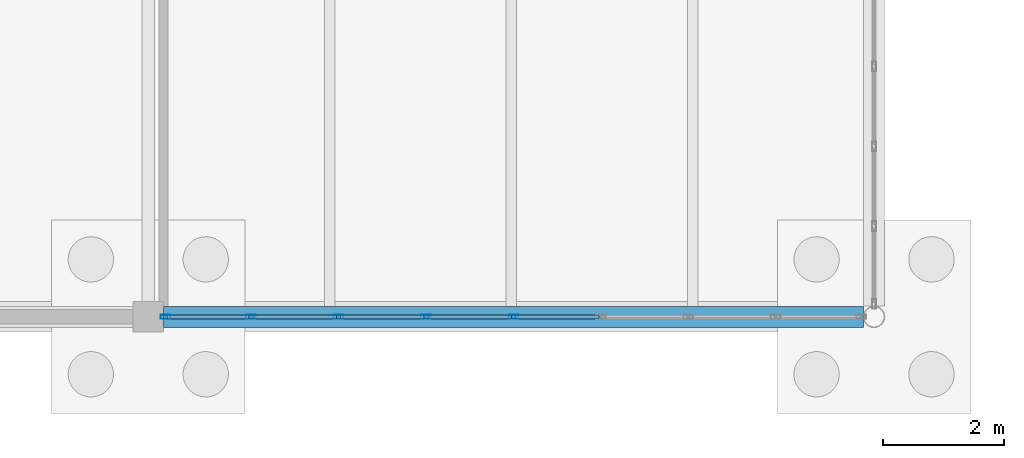
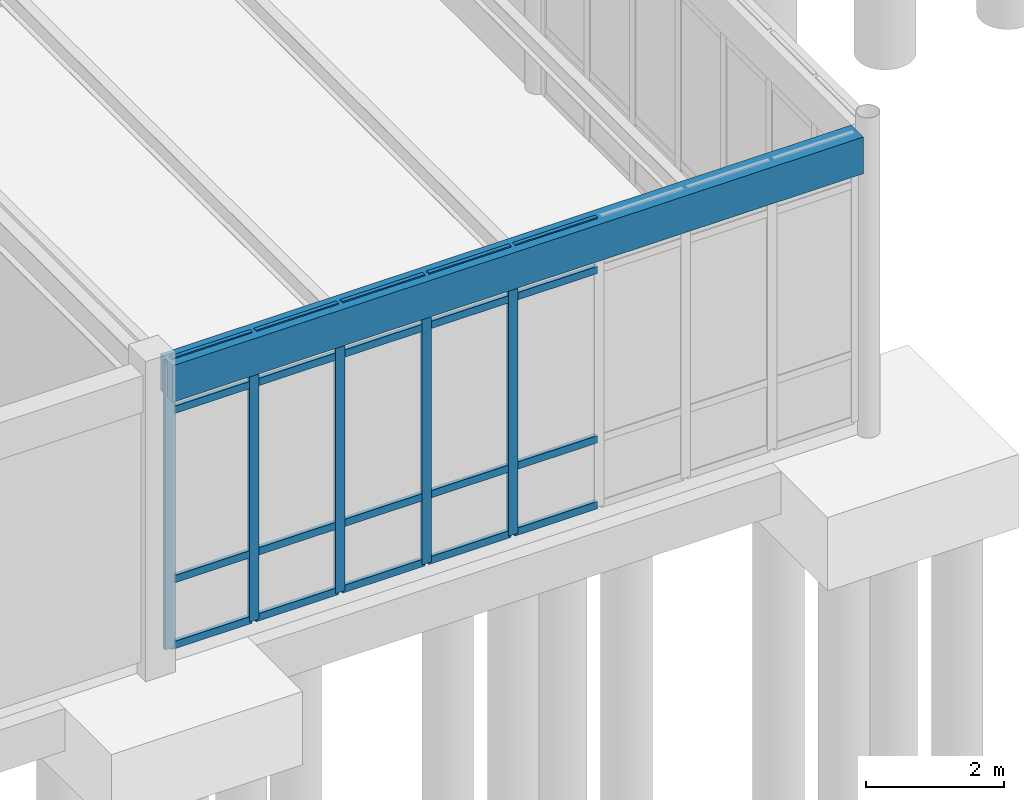
# One storey, part 24 of 188: 25 members, 1 beam, 1 element without a shape of its own.
"""IFC4 building model written with IfcOpenShell, lengths in metres."""

from ifc_helpers import new_model, si_unit, direction, frame, origin, origin_2d, place, context, subcontext, project, spatial, rectangle, hollow_rectangle, extrude, material, layer, layer_set, material_profile, profile_set, type_object, element, aggregate, save


model = new_model("IFC4")

# Units and contexts
model_context = context("Model", 3, precision=1e-05, world=origin(), true_north=direction((0.0, 1.0)))
body_context = subcontext(model_context, "Body", "Model", "MODEL_VIEW")
ifc_project = project(units=[si_unit("LENGTHUNIT", "METRE"), si_unit("AREAUNIT", "SQUARE_METRE"), si_unit("VOLUMEUNIT", "CUBIC_METRE"), si_unit("PLANEANGLEUNIT", "RADIAN"), si_unit("MASSUNIT", "GRAM", prefix="KILO")], contexts=[model_context])

# Site, building, storey
site_placement = place(None, origin())
site = spatial("IfcSite", under=ifc_project, at=site_placement, CompositionType="ELEMENT")
building_placement = place(site_placement, origin())
building = spatial("IfcBuilding", under=site, at=building_placement, Name="Pandanus Reach Market Hall", CompositionType="ELEMENT")
storey_placement = place(building_placement, origin())
storey = spatial("IfcBuildingStorey", under=building, at=storey_placement, Name="L00", CompositionType="ELEMENT", Elevation=0.0)

# Beam
ifc_material_1 = material(Name="Concrete N40 (40 MPa)", Category="concrete")
ifc_material_profile_1 = material_profile(ifc_material_1, rectangle(XDim=0.35009765625, YDim=0.64990234375, at=origin_2d()), Name="RC350x650", Category="LoadBearing")
ifc_profile_set_1 = profile_set([ifc_material_profile_1], Name="Concrete N40 (40 MPa)")
beam_type = type_object("IfcBeamType", Name="BM-RC350-E", PredefinedType="SPANDREL", material=ifc_profile_set_1)
beam_placement = place(storey_placement, frame((24.248046875, 0.0, 4.784912109375), z_axis=(1.0, 0.0, 0.0), x_axis=(0.0, 1.0, 0.0)))
element("IfcBeam", 1, at=beam_placement, inside=storey, type_object=beam_type, Name="Framing beam BM-RC350-E L00.923", PredefinedType="SPANDREL", context=body_context, shape_type="SweptSolid", body=[
    extrude(rectangle(XDim=0.35009765625, YDim=0.64990234375, at=origin_2d()), origin(), (0.0, 0.0, 1.0), 11.576171875),
])

# Curtain wall, members
ifc_material_2 = material(Name="Bronze anodised aluminium and low-E glass", Category="aluminium")
ifc_layer = layer(ifc_material_2, 0.159912109375, Name="CW-10")
ifc_layer_set = layer_set([ifc_layer], Name="Bronze anodised aluminium and low-E glass")
curtain_wall_type = type_object("IfcCurtainWallType", Name="CW-10", PredefinedType="NOTDEFINED", material=ifc_layer_set)
curtain_wall_placement = place(storey_placement, origin())
curtain_wall = element("IfcCurtainWall", 2, at=curtain_wall_placement, inside=storey, type_object=curtain_wall_type, Name="Glazed curtain wall CW-10 CW-0048", PredefinedType="NOTDEFINED")
ifc_material_3 = material(Name="Bronze anodised aluminium", Category="aluminium")
ifc_material_profile_2 = material_profile(ifc_material_3, hollow_rectangle(XDim=0.06494140625, YDim=0.159912109375, WallThickness=0.00390625, at=origin_2d()), Name="ALU65x160", Category="LoadBearing")
ifc_profile_set_2 = profile_set([ifc_material_profile_2], Name="Bronze anodised aluminium")
member_type_1 = type_object("IfcMemberType", Name="CW-M1", PredefinedType="MULLION", material=ifc_profile_set_2)
member_1_placement = place(storey_placement, frame((24.282470703125, 0.0, 0.0), z_axis=(0.0, 0.0, 1.0), x_axis=(0.0, 1.0, 0.0)))
member_1 = element("IfcMember", 3, at=member_1_placement, type_object=member_type_1, Name="CW-10 mullion 1", PredefinedType="MULLION", context=body_context, shape_type="SweptSolid", body=[
    extrude(hollow_rectangle(XDim=0.06494140625, YDim=0.159912109375, WallThickness=0.00390625, at=origin_2d()), origin(), (0.0, 0.0, 1.0), 5.10009765625),
])
member_2_placement = place(storey_placement, frame((25.696533203125, 0.0, 0.0), z_axis=(0.0, 0.0, 1.0), x_axis=(0.0, 1.0, 0.0)))
member_2 = element("IfcMember", 4, at=member_2_placement, type_object=member_type_1, Name="CW-10 mullion 2", PredefinedType="MULLION", context=body_context, shape_type="SweptSolid", body=[
    extrude(hollow_rectangle(XDim=0.06494140625, YDim=0.159912109375, WallThickness=0.00390625, at=origin_2d()), origin(), (0.0, 0.0, 1.0), 5.10009765625),
])
member_3_placement = place(storey_placement, frame((27.14306640625, 0.0, 0.0), z_axis=(0.0, 0.0, 1.0), x_axis=(0.0, 1.0, 0.0)))
member_3 = element("IfcMember", 5, at=member_3_placement, type_object=member_type_1, Name="CW-10 mullion 3", PredefinedType="MULLION", context=body_context, shape_type="SweptSolid", body=[
    extrude(hollow_rectangle(XDim=0.06494140625, YDim=0.159912109375, WallThickness=0.00390625, at=origin_2d()), origin(), (0.0, 0.0, 1.0), 5.10009765625),
])
member_4_placement = place(storey_placement, frame((28.589599609375, 0.0, 0.0), z_axis=(0.0, 0.0, 1.0), x_axis=(0.0, 1.0, 0.0)))
member_4 = element("IfcMember", 6, at=member_4_placement, type_object=member_type_1, Name="CW-10 mullion 4", PredefinedType="MULLION", context=body_context, shape_type="SweptSolid", body=[
    extrude(hollow_rectangle(XDim=0.06494140625, YDim=0.159912109375, WallThickness=0.00390625, at=origin_2d()), origin(), (0.0, 0.0, 1.0), 5.10009765625),
])
member_5_placement = place(storey_placement, frame((30.0361328125, 0.0, 0.0), z_axis=(0.0, 0.0, 1.0), x_axis=(0.0, 1.0, 0.0)))
member_5 = element("IfcMember", 7, at=member_5_placement, type_object=member_type_1, Name="CW-10 mullion 5", PredefinedType="MULLION", context=body_context, shape_type="SweptSolid", body=[
    extrude(hollow_rectangle(XDim=0.06494140625, YDim=0.159912109375, WallThickness=0.00390625, at=origin_2d()), origin(), (0.0, 0.0, 1.0), 5.10009765625),
])
ifc_material_profile_3 = material_profile(ifc_material_3, hollow_rectangle(XDim=0.06494140625, YDim=0.1298828125, WallThickness=0.00390625, at=origin_2d()), Name="ALU65x130", Category="LoadBearing")
ifc_profile_set_3 = profile_set([ifc_material_profile_3], Name="Bronze anodised aluminium")
member_type_2 = type_object("IfcMemberType", Name="CW-T1", PredefinedType="USERDEFINED", material=ifc_profile_set_3)
member_6_placement = place(storey_placement, frame((24.31494140625, 0.0, 0.032470703125), z_axis=(1.0, 0.0, 0.0), x_axis=(0.0, 1.0, 0.0)))
member_6 = element("IfcMember", 8, at=member_6_placement, type_object=member_type_2, Name="CW-10 transom 1.1", ObjectType="TRANSOM", PredefinedType="USERDEFINED", context=body_context, shape_type="SweptSolid", body=[
    extrude(hollow_rectangle(XDim=0.06494140625, YDim=0.1298828125, WallThickness=0.00390625, at=origin_2d()), origin(), (0.0, 0.0, 1.0), 1.34912109375),
])
member_7_placement = place(storey_placement, frame((24.31494140625, 0.0, 1.199951171875), z_axis=(1.0, 0.0, 0.0), x_axis=(0.0, 1.0, 0.0)))
member_7 = element("IfcMember", 9, at=member_7_placement, type_object=member_type_2, Name="CW-10 transom 1.2", ObjectType="TRANSOM", PredefinedType="USERDEFINED", context=body_context, shape_type="SweptSolid", body=[
    extrude(hollow_rectangle(XDim=0.06494140625, YDim=0.1298828125, WallThickness=0.00390625, at=origin_2d()), origin(), (0.0, 0.0, 1.0), 1.34912109375),
])
member_8_placement = place(storey_placement, frame((24.31494140625, 0.0, 4.199951171875), z_axis=(1.0, 0.0, 0.0), x_axis=(0.0, 1.0, 0.0)))
member_8 = element("IfcMember", 10, at=member_8_placement, type_object=member_type_2, Name="CW-10 transom 1.3", ObjectType="TRANSOM", PredefinedType="USERDEFINED", context=body_context, shape_type="SweptSolid", body=[
    extrude(hollow_rectangle(XDim=0.06494140625, YDim=0.1298828125, WallThickness=0.00390625, at=origin_2d()), origin(), (0.0, 0.0, 1.0), 1.34912109375),
])
member_9_placement = place(storey_placement, frame((24.31494140625, 0.0, 5.0673828125), z_axis=(1.0, 0.0, 0.0), x_axis=(0.0, 1.0, 0.0)))
member_9 = element("IfcMember", 11, at=member_9_placement, type_object=member_type_2, Name="CW-10 transom 1.4", ObjectType="TRANSOM", PredefinedType="USERDEFINED", context=body_context, shape_type="SweptSolid", body=[
    extrude(hollow_rectangle(XDim=0.06494140625, YDim=0.1298828125, WallThickness=0.00390625, at=origin_2d()), origin(), (0.0, 0.0, 1.0), 1.34912109375),
])
member_10_placement = place(storey_placement, frame((25.72900390625, 0.0, 0.032470703125), z_axis=(1.0, 0.0, 0.0), x_axis=(0.0, 1.0, 0.0)))
member_10 = element("IfcMember", 12, at=member_10_placement, type_object=member_type_2, Name="CW-10 transom 2.1", ObjectType="TRANSOM", PredefinedType="USERDEFINED", context=body_context, shape_type="SweptSolid", body=[
    extrude(hollow_rectangle(XDim=0.06494140625, YDim=0.1298828125, WallThickness=0.00390625, at=origin_2d()), origin(), (0.0, 0.0, 1.0), 1.381591796875),
])
member_11_placement = place(storey_placement, frame((25.72900390625, 0.0, 1.199951171875), z_axis=(1.0, 0.0, 0.0), x_axis=(0.0, 1.0, 0.0)))
member_11 = element("IfcMember", 13, at=member_11_placement, type_object=member_type_2, Name="CW-10 transom 2.2", ObjectType="TRANSOM", PredefinedType="USERDEFINED", context=body_context, shape_type="SweptSolid", body=[
    extrude(hollow_rectangle(XDim=0.06494140625, YDim=0.1298828125, WallThickness=0.00390625, at=origin_2d()), origin(), (0.0, 0.0, 1.0), 1.381591796875),
])
member_12_placement = place(storey_placement, frame((25.72900390625, 0.0, 4.199951171875), z_axis=(1.0, 0.0, 0.0), x_axis=(0.0, 1.0, 0.0)))
member_12 = element("IfcMember", 14, at=member_12_placement, type_object=member_type_2, Name="CW-10 transom 2.3", ObjectType="TRANSOM", PredefinedType="USERDEFINED", context=body_context, shape_type="SweptSolid", body=[
    extrude(hollow_rectangle(XDim=0.06494140625, YDim=0.1298828125, WallThickness=0.00390625, at=origin_2d()), origin(), (0.0, 0.0, 1.0), 1.381591796875),
])
member_13_placement = place(storey_placement, frame((25.72900390625, 0.0, 5.0673828125), z_axis=(1.0, 0.0, 0.0), x_axis=(0.0, 1.0, 0.0)))
member_13 = element("IfcMember", 15, at=member_13_placement, type_object=member_type_2, Name="CW-10 transom 2.4", ObjectType="TRANSOM", PredefinedType="USERDEFINED", context=body_context, shape_type="SweptSolid", body=[
    extrude(hollow_rectangle(XDim=0.06494140625, YDim=0.1298828125, WallThickness=0.00390625, at=origin_2d()), origin(), (0.0, 0.0, 1.0), 1.381591796875),
])
member_14_placement = place(storey_placement, frame((27.175537109375, 0.0, 0.032470703125), z_axis=(1.0, 0.0, 0.0), x_axis=(0.0, 1.0, 0.0)))
member_14 = element("IfcMember", 16, at=member_14_placement, type_object=member_type_2, Name="CW-10 transom 3.1", ObjectType="TRANSOM", PredefinedType="USERDEFINED", context=body_context, shape_type="SweptSolid", body=[
    extrude(hollow_rectangle(XDim=0.06494140625, YDim=0.1298828125, WallThickness=0.00390625, at=origin_2d()), origin(), (0.0, 0.0, 1.0), 1.381591796875),
])
member_15_placement = place(storey_placement, frame((27.175537109375, 0.0, 1.199951171875), z_axis=(1.0, 0.0, 0.0), x_axis=(0.0, 1.0, 0.0)))
member_15 = element("IfcMember", 17, at=member_15_placement, type_object=member_type_2, Name="CW-10 transom 3.2", ObjectType="TRANSOM", PredefinedType="USERDEFINED", context=body_context, shape_type="SweptSolid", body=[
    extrude(hollow_rectangle(XDim=0.06494140625, YDim=0.1298828125, WallThickness=0.00390625, at=origin_2d()), origin(), (0.0, 0.0, 1.0), 1.381591796875),
])
member_16_placement = place(storey_placement, frame((27.175537109375, 0.0, 4.199951171875), z_axis=(1.0, 0.0, 0.0), x_axis=(0.0, 1.0, 0.0)))
member_16 = element("IfcMember", 18, at=member_16_placement, type_object=member_type_2, Name="CW-10 transom 3.3", ObjectType="TRANSOM", PredefinedType="USERDEFINED", context=body_context, shape_type="SweptSolid", body=[
    extrude(hollow_rectangle(XDim=0.06494140625, YDim=0.1298828125, WallThickness=0.00390625, at=origin_2d()), origin(), (0.0, 0.0, 1.0), 1.381591796875),
])
member_17_placement = place(storey_placement, frame((27.175537109375, 0.0, 5.0673828125), z_axis=(1.0, 0.0, 0.0), x_axis=(0.0, 1.0, 0.0)))
member_17 = element("IfcMember", 19, at=member_17_placement, type_object=member_type_2, Name="CW-10 transom 3.4", ObjectType="TRANSOM", PredefinedType="USERDEFINED", context=body_context, shape_type="SweptSolid", body=[
    extrude(hollow_rectangle(XDim=0.06494140625, YDim=0.1298828125, WallThickness=0.00390625, at=origin_2d()), origin(), (0.0, 0.0, 1.0), 1.381591796875),
])
member_18_placement = place(storey_placement, frame((28.6220703125, 0.0, 0.032470703125), z_axis=(1.0, 0.0, 0.0), x_axis=(0.0, 1.0, 0.0)))
member_18 = element("IfcMember", 20, at=member_18_placement, type_object=member_type_2, Name="CW-10 transom 4.1", ObjectType="TRANSOM", PredefinedType="USERDEFINED", context=body_context, shape_type="SweptSolid", body=[
    extrude(hollow_rectangle(XDim=0.06494140625, YDim=0.1298828125, WallThickness=0.00390625, at=origin_2d()), origin(), (0.0, 0.0, 1.0), 1.381591796875),
])
member_19_placement = place(storey_placement, frame((28.6220703125, 0.0, 1.199951171875), z_axis=(1.0, 0.0, 0.0), x_axis=(0.0, 1.0, 0.0)))
member_19 = element("IfcMember", 21, at=member_19_placement, type_object=member_type_2, Name="CW-10 transom 4.2", ObjectType="TRANSOM", PredefinedType="USERDEFINED", context=body_context, shape_type="SweptSolid", body=[
    extrude(hollow_rectangle(XDim=0.06494140625, YDim=0.1298828125, WallThickness=0.00390625, at=origin_2d()), origin(), (0.0, 0.0, 1.0), 1.381591796875),
])
member_20_placement = place(storey_placement, frame((28.6220703125, 0.0, 4.199951171875), z_axis=(1.0, 0.0, 0.0), x_axis=(0.0, 1.0, 0.0)))
member_20 = element("IfcMember", 22, at=member_20_placement, type_object=member_type_2, Name="CW-10 transom 4.3", ObjectType="TRANSOM", PredefinedType="USERDEFINED", context=body_context, shape_type="SweptSolid", body=[
    extrude(hollow_rectangle(XDim=0.06494140625, YDim=0.1298828125, WallThickness=0.00390625, at=origin_2d()), origin(), (0.0, 0.0, 1.0), 1.381591796875),
])
member_21_placement = place(storey_placement, frame((28.6220703125, 0.0, 5.0673828125), z_axis=(1.0, 0.0, 0.0), x_axis=(0.0, 1.0, 0.0)))
member_21 = element("IfcMember", 23, at=member_21_placement, type_object=member_type_2, Name="CW-10 transom 4.4", ObjectType="TRANSOM", PredefinedType="USERDEFINED", context=body_context, shape_type="SweptSolid", body=[
    extrude(hollow_rectangle(XDim=0.06494140625, YDim=0.1298828125, WallThickness=0.00390625, at=origin_2d()), origin(), (0.0, 0.0, 1.0), 1.381591796875),
])
member_22_placement = place(storey_placement, frame((30.068603515625, 0.0, 0.032470703125), z_axis=(1.0, 0.0, 0.0), x_axis=(0.0, 1.0, 0.0)))
member_22 = element("IfcMember", 24, at=member_22_placement, type_object=member_type_2, Name="CW-10 transom 5.1", ObjectType="TRANSOM", PredefinedType="USERDEFINED", context=body_context, shape_type="SweptSolid", body=[
    extrude(hollow_rectangle(XDim=0.06494140625, YDim=0.1298828125, WallThickness=0.00390625, at=origin_2d()), origin(), (0.0, 0.0, 1.0), 1.381591796875),
])
member_23_placement = place(storey_placement, frame((30.068603515625, 0.0, 1.199951171875), z_axis=(1.0, 0.0, 0.0), x_axis=(0.0, 1.0, 0.0)))
member_23 = element("IfcMember", 25, at=member_23_placement, type_object=member_type_2, Name="CW-10 transom 5.2", ObjectType="TRANSOM", PredefinedType="USERDEFINED", context=body_context, shape_type="SweptSolid", body=[
    extrude(hollow_rectangle(XDim=0.06494140625, YDim=0.1298828125, WallThickness=0.00390625, at=origin_2d()), origin(), (0.0, 0.0, 1.0), 1.381591796875),
])
member_24_placement = place(storey_placement, frame((30.068603515625, 0.0, 4.199951171875), z_axis=(1.0, 0.0, 0.0), x_axis=(0.0, 1.0, 0.0)))
member_24 = element("IfcMember", 26, at=member_24_placement, type_object=member_type_2, Name="CW-10 transom 5.3", ObjectType="TRANSOM", PredefinedType="USERDEFINED", context=body_context, shape_type="SweptSolid", body=[
    extrude(hollow_rectangle(XDim=0.06494140625, YDim=0.1298828125, WallThickness=0.00390625, at=origin_2d()), origin(), (0.0, 0.0, 1.0), 1.381591796875),
])
member_25_placement = place(storey_placement, frame((30.068603515625, 0.0, 5.0673828125), z_axis=(1.0, 0.0, 0.0), x_axis=(0.0, 1.0, 0.0)))
member_25 = element("IfcMember", 27, at=member_25_placement, type_object=member_type_2, Name="CW-10 transom 5.4", ObjectType="TRANSOM", PredefinedType="USERDEFINED", context=body_context, shape_type="SweptSolid", body=[
    extrude(hollow_rectangle(XDim=0.06494140625, YDim=0.1298828125, WallThickness=0.00390625, at=origin_2d()), origin(), (0.0, 0.0, 1.0), 1.381591796875),
])
aggregate(curtain_wall, [member_1, member_2, member_3, member_4, member_5, member_6, member_7, member_8, member_9, member_10, member_11, member_12, member_13, member_14, member_15, member_16, member_17, member_18, member_19, member_20, member_21, member_22, member_23, member_24, member_25])

save(model, "model.ifc")
